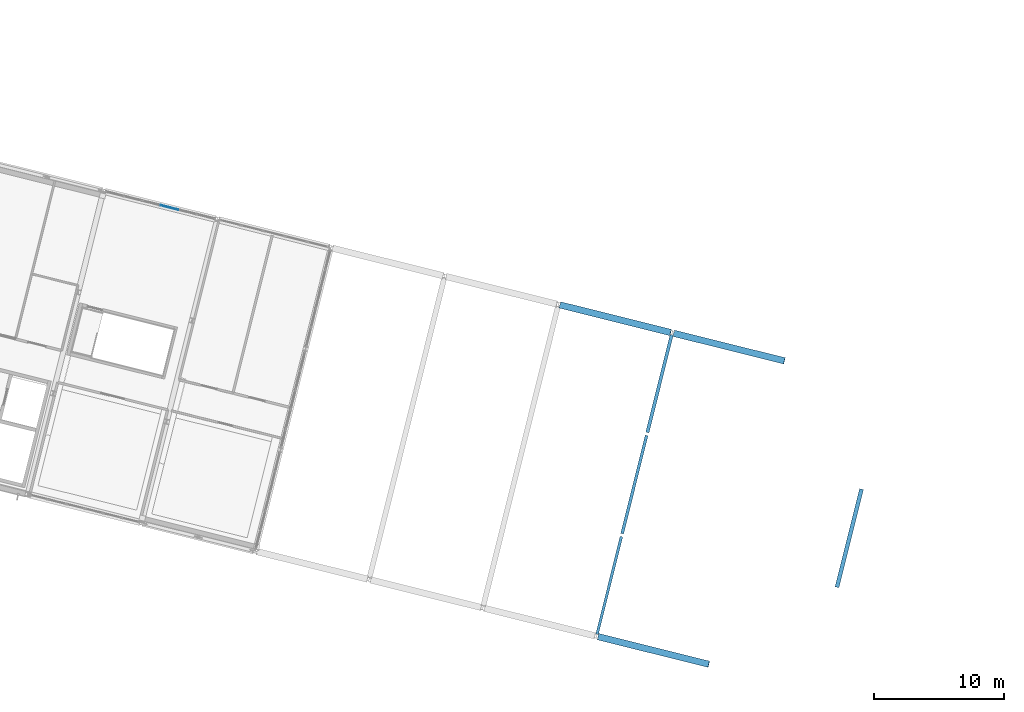
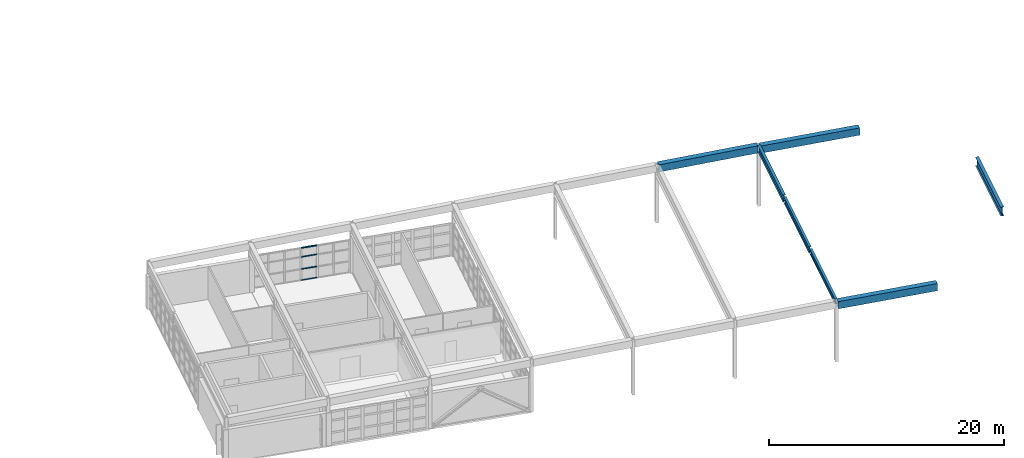
# One storey, part 16 of 27: 7 beams, 4 members, 1 element without a shape of its own.
"""IFC4 building model written with IfcOpenShell, lengths in metres."""

import ifcopenshell
import ifcopenshell.guid

model = None  # the IFC model being written
_history = None  # IfcOwnerHistory: only IFC2X3 demands one
_inside = {}  # id of a spatial element -> (the spatial element, [elements in it])
_under = {}  # id of a project, library or spatial element -> (it, [spatial elements below it])
_declared = {}  # id of a project -> (the project, [libraries it declares])
_typed = {}  # id of a type object -> (the type object, [elements of that type])
_made_of = {}  # id of a material, layer set ... -> (it, [elements and type objects made of it])


def new_model(schema):
    """Start an empty IFC model of exactly this schema.

    Asked for "IFC4X3", IfcOpenShell would pick the latest addendum, in which some entities
    have other attributes; the version numbers below select the first issue.
    IFC2X3 requires an IfcOwnerHistory on every rooted entity: one is made here for all.
    """
    global model, _history
    if schema == "IFC4X3":
        model = ifcopenshell.file(schema_version=(4, 3, 0, 0))
    else:
        model = ifcopenshell.file(schema=schema)
    _inside.clear()
    _under.clear()
    _declared.clear()
    _typed.clear()
    _made_of.clear()
    _history = None
    if model.schema == "IFC2X3":
        org = make("IfcOrganization", Name="unknown")
        user = make(
            "IfcPersonAndOrganization",
            ThePerson=make("IfcPerson", FamilyName="unknown"),
            TheOrganization=org,
        )
        app = make(
            "IfcApplication",
            ApplicationDeveloper=org,
            Version="unknown",
            ApplicationFullName="unknown",
            ApplicationIdentifier="unknown",
        )
        _history = make(
            "IfcOwnerHistory",
            OwningUser=user,
            OwningApplication=app,
            ChangeAction="ADDED",
            CreationDate=0,
        )
    return model


def make(cls, **values):
    """One entity of the class cls with the attributes given. An attribute that is None is left unset."""
    return model.create_entity(
        cls, **{name: value for name, value in values.items() if value is not None}
    )


def rooted(cls, **values):
    """An entity with a GlobalId (a new one), such as an element, a storey or a relation."""
    return make(cls, GlobalId=ifcopenshell.guid.new(), OwnerHistory=_history, **values)


def si_unit(unit_type, name, prefix=None):
    """IfcSIUnit, for example si_unit("LENGTHUNIT", "METRE", prefix="MILLI")."""
    return make("IfcSIUnit", UnitType=unit_type, Prefix=prefix, Name=name)


def assignment(units):
    """IfcUnitAssignment: the units of a project."""
    return None if units is None else make("IfcUnitAssignment", Units=units)


def point(xyz):
    """IfcCartesianPoint."""
    return None if xyz is None else make("IfcCartesianPoint", Coordinates=xyz)


def direction(xyz):
    """IfcDirection."""
    return None if xyz is None else make("IfcDirection", DirectionRatios=xyz)


def frame(location, z_axis=None, x_axis=None):
    """IfcAxis2Placement3D, a coordinate frame: its origin and axes. An axis left out is left unset."""
    return make(
        "IfcAxis2Placement3D",
        Location=point(location),
        Axis=direction(z_axis),
        RefDirection=direction(x_axis),
    )


def frame_2d(location, x_axis=None):
    """IfcAxis2Placement2D, a coordinate frame in the plane: its origin and x axis."""
    return make(
        "IfcAxis2Placement2D", Location=point(location), RefDirection=direction(x_axis)
    )


def origin():
    """The frame at (0, 0, 0) with its axes left unset."""
    return frame((0.0, 0.0, 0.0))


def origin_2d():
    """The frame at (0, 0) in the plane with its x axis left unset."""
    return frame_2d((0.0, 0.0))


def place(relative_to, where):
    """IfcLocalPlacement: puts the frame where relative to a parent placement (None: the world)."""
    return make(
        "IfcLocalPlacement", PlacementRelTo=relative_to, RelativePlacement=where
    )


def context(
    kind, dimensions, precision=None, world=None, true_north=None, identifier=None
):
    """IfcGeometricRepresentationContext, for example the 3D "Model" context."""
    return make(
        "IfcGeometricRepresentationContext",
        ContextIdentifier=identifier,
        ContextType=kind,
        CoordinateSpaceDimension=dimensions,
        Precision=precision,
        WorldCoordinateSystem=world,
        TrueNorth=true_north,
    )


def subcontext(parent, identifier, kind, view, scale=None):
    """IfcGeometricRepresentationSubContext, for example "Body" below "Model"."""
    return make(
        "IfcGeometricRepresentationSubContext",
        ContextIdentifier=identifier,
        ContextType=kind,
        ParentContext=parent,
        TargetScale=scale,
        TargetView=view,
    )


def project(units=None, contexts=None):
    """IfcProject with its units and contexts."""
    return rooted(
        "IfcProject",
        Name="project",
        RepresentationContexts=contexts,
        UnitsInContext=assignment(units),
    )


def spatial(cls, under=None, at=None, **own):
    """A site, building, storey or space (cls), placed at a placement, below another one or the project."""
    s = rooted(cls, ObjectPlacement=at, **own)
    if under is not None:
        _under.setdefault(under.id(), (under, []))[1].append(s)
    return s


def profile(cls, at=None, kind="AREA", **sizes):
    """A parametric profile (cls). Its sizes go by their IFC names, for example OverallWidth=200.0."""
    return make(cls, ProfileType=kind, Position=at, **sizes)


def rectangle(**sizes):
    """IfcRectangleProfileDef."""
    return profile("IfcRectangleProfileDef", **sizes)


def i_section(**sizes):
    """IfcIShapeProfileDef."""
    return profile("IfcIShapeProfileDef", **sizes)


def extrude(swept, where, along, depth):
    """IfcExtrudedAreaSolid: the profile swept, set in the frame where, extruded along a direction by depth."""
    return make(
        "IfcExtrudedAreaSolid",
        SweptArea=swept,
        Position=where,
        ExtrudedDirection=direction(along),
        Depth=depth,
    )


def shape(context_of_items, identifier, shape_type, items):
    """IfcShapeRepresentation: the items that make up one representation, for example the "Body"."""
    return make(
        "IfcShapeRepresentation",
        ContextOfItems=context_of_items,
        RepresentationIdentifier=identifier,
        RepresentationType=shape_type,
        Items=items,
    )


def material(Name=None, Category=None):
    """IfcMaterial."""
    return make("IfcMaterial", Name=Name, Category=Category)


def layer(
    of_material, thickness, ventilated=None, Name=None, Category=None, Priority=None
):
    """IfcMaterialLayer: one layer of a wall or slab, of a material (None: an air gap)."""
    return make(
        "IfcMaterialLayer",
        Material=of_material,
        LayerThickness=thickness,
        IsVentilated=ventilated,
        Name=Name,
        Category=Category,
        Priority=Priority,
    )


def layer_set(layers, Name=None):
    """IfcMaterialLayerSet."""
    return make("IfcMaterialLayerSet", MaterialLayers=layers, LayerSetName=Name)


def material_profile(
    of_material, cross_section, Name=None, Category=None, Priority=None
):
    """IfcMaterialProfile: a cross section and its material."""
    return make(
        "IfcMaterialProfile",
        Name=Name,
        Material=of_material,
        Profile=cross_section,
        Priority=Priority,
        Category=Category,
    )


def profile_set(profiles, Name=None, composite=None):
    """IfcMaterialProfileSet."""
    return make(
        "IfcMaterialProfileSet",
        Name=Name,
        MaterialProfiles=profiles,
        CompositeProfile=composite,
    )


def made_of(thing, what):
    """Note that an element or type object is made of a material, layer set ...; save() writes the relation."""
    if what is not None:
        _made_of.setdefault(what.id(), (what, []))[1].append(thing)
    return thing


def type_object(cls, material=None, **own):
    """A type object (cls), such as IfcWallType, which elements share."""
    return made_of(rooted(cls, **own), material)


def element(
    cls,
    number,
    at=None,
    inside=None,
    cuts=None,
    type_object=None,
    material=None,
    context=None,
    identifier="Body",
    shape_type=None,
    held_by="IfcProductDefinitionShape",
    body=None,
    shapes=None,
    **own,
):
    """One element of the class cls, such as IfcWall. Its Tag is "e" and its number.

    at: its placement. inside: the storey or other place that contains it. cuts: it is an
    opening in that element (IfcRelVoidsElement). A single representation is given by context,
    identifier, shape_type and body (its items); several are given by shapes. held_by: the class
    of the entity that holds the representations. save() writes the other relations.
    """
    e = rooted(cls, Tag="e%d" % number, ObjectPlacement=at, **own)
    if body is not None:
        shapes = [shape(context, identifier, shape_type, body)]
    if shapes is not None:
        e.Representation = make(held_by, Representations=shapes)
    if inside is not None:
        _inside.setdefault(inside.id(), (inside, []))[1].append(e)
    if cuts is not None:
        rooted(
            "IfcRelVoidsElement", RelatingBuildingElement=cuts, RelatedOpeningElement=e
        )
    if type_object is not None:
        _typed.setdefault(type_object.id(), (type_object, []))[1].append(e)
    return made_of(e, material)


def aggregate(whole, parts):
    """IfcRelAggregates: a whole, such as a stair, and the parts it consists of."""
    return rooted("IfcRelAggregates", RelatingObject=whole, RelatedObjects=parts)


def save(model, path):
    """Write the relations noted so far, then the file.

    IfcRelAggregates (storeys below a building ...), IfcRelContainedInSpatialStructure (elements
    in a storey), IfcRelDefinesByType, IfcRelAssociatesMaterial and IfcRelDeclares: one each for
    every whole, place, type object, material and project.
    """
    for whole, parts in _under.values():
        aggregate(whole, parts)
    for where, things in _inside.values():
        rooted(
            "IfcRelContainedInSpatialStructure",
            RelatedElements=things,
            RelatingStructure=where,
        )
    for kind, things in _typed.values():
        rooted("IfcRelDefinesByType", RelatedObjects=things, RelatingType=kind)
    for what, things in _made_of.values():
        rooted("IfcRelAssociatesMaterial", RelatedObjects=things, RelatingMaterial=what)
    for by, libraries in _declared.values():
        rooted("IfcRelDeclares", RelatingContext=by, RelatedDefinitions=libraries)
    model.write(path)


model = new_model("IFC4")

# Units and contexts
model_context = context("Model", 3, precision=1e-05, world=origin(), true_north=direction((0.0, 1.0)))
body_context = subcontext(model_context, "Body", "Model", "MODEL_VIEW")
ifc_project = project(units=[si_unit("LENGTHUNIT", "METRE"), si_unit("AREAUNIT", "SQUARE_METRE"), si_unit("VOLUMEUNIT", "CUBIC_METRE"), si_unit("PLANEANGLEUNIT", "RADIAN"), si_unit("MASSUNIT", "GRAM", prefix="KILO")], contexts=[model_context])

# Site, building, storey
site_placement = place(None, origin())
site = spatial("IfcSite", under=ifc_project, at=site_placement, CompositionType="ELEMENT")
building_placement = place(site_placement, origin())
building = spatial("IfcBuilding", under=site, at=building_placement, Name="Vireo Bluff Cable Station", CompositionType="ELEMENT")
storey_placement = place(building_placement, frame((0.0, 0.0, 19.199951171875)))
storey = spatial("IfcBuildingStorey", under=building, at=storey_placement, Name="L04", CompositionType="ELEMENT", Elevation=19.199951171875)

# Curtain wall, members
ifc_material_1 = material(Name="Anodized Aluminium 6063-T6", Category="aluminium")
ifc_layer = layer(ifc_material_1, 0.179931640625, Name="Anodized Aluminium 6063-T6")
ifc_layer_set = layer_set([ifc_layer], Name="Anodized Aluminium 6063-T6")
curtain_wall_type = type_object("IfcCurtainWallType", Name="CW-UNIT-1500", PredefinedType="USERDEFINED", material=ifc_layer_set)
curtain_wall_placement = place(storey_placement, origin())
curtain_wall = element("IfcCurtainWall", 1, at=curtain_wall_placement, inside=storey, type_object=curtain_wall_type, Name="V1 L04 north curtain wall CW-034", ObjectType="UNITISED CURTAIN WALL", PredefinedType="USERDEFINED")
ifc_material_profile_1 = material_profile(ifc_material_1, rectangle(XDim=0.06005859375, YDim=0.1201171875, at=origin_2d()), Name="ALU-T-60X120")
ifc_profile_set_1 = profile_set([ifc_material_profile_1], Name="Anodized Aluminium 6063-T6")
member_type = type_object("IfcMemberType", Name="CWT-03", PredefinedType="USERDEFINED", material=ifc_profile_set_1)
member_1_placement = place(storey_placement, frame((72.934326171875, 58.013916015625, 0.030029296875), z_axis=(0.970287136936, -0.241956342955, 0.0), x_axis=(0.241956342955, 0.970287136936, 0.0)))
member_1 = element("IfcMember", 2, at=member_1_placement, type_object=member_type, Name="CW-034 transom 4.1", ObjectType="TRANSOM", PredefinedType="USERDEFINED", context=body_context, shape_type="SweptSolid", body=[
    extrude(rectangle(XDim=0.06005859375, YDim=0.1201171875, at=origin_2d()), origin(), (0.0, 0.0, 1.0), 1.388427734375),
])
member_2_placement = place(storey_placement, frame((72.934326171875, 58.013916015625, 1.18994140625), z_axis=(0.970287136936, -0.241956342955, 0.0), x_axis=(0.241956342955, 0.970287136936, 0.0)))
member_2 = element("IfcMember", 3, at=member_2_placement, type_object=member_type, Name="CW-034 transom 4.2", ObjectType="TRANSOM", PredefinedType="USERDEFINED", context=body_context, shape_type="SweptSolid", body=[
    extrude(rectangle(XDim=0.06005859375, YDim=0.1201171875, at=origin_2d()), origin(), (0.0, 0.0, 1.0), 1.388427734375),
])
member_3_placement = place(storey_placement, frame((72.934326171875, 58.013916015625, 2.447998046875), z_axis=(0.970287136936, -0.241956342955, 0.0), x_axis=(0.241956342955, 0.970287136936, 0.0)))
member_3 = element("IfcMember", 4, at=member_3_placement, type_object=member_type, Name="CW-034 transom 4.3", ObjectType="TRANSOM", PredefinedType="USERDEFINED", context=body_context, shape_type="SweptSolid", body=[
    extrude(rectangle(XDim=0.06005859375, YDim=0.1201171875, at=origin_2d()), origin(), (0.0, 0.0, 1.0), 1.388427734375),
])
member_4_placement = place(storey_placement, frame((72.934326171875, 58.013916015625, 3.3701171875), z_axis=(0.970287136936, -0.241956342955, 0.0), x_axis=(0.241956342955, 0.970287136936, 0.0)))
member_4 = element("IfcMember", 5, at=member_4_placement, type_object=member_type, Name="CW-034 transom 4.4", ObjectType="TRANSOM", PredefinedType="USERDEFINED", context=body_context, shape_type="SweptSolid", body=[
    extrude(rectangle(XDim=0.06005859375, YDim=0.1201171875, at=origin_2d()), origin(), (0.0, 0.0, 1.0), 1.388427734375),
])
aggregate(curtain_wall, [member_1, member_2, member_3, member_4])

# Beams
ifc_material_2 = material(Name="Steel ASTM A992 Gr. 50", Category="steel")
ifc_material_profile_2 = material_profile(ifc_material_2, i_section(OverallWidth=0.306884765625, OverallDepth=0.927001953125, WebThickness=0.019287109375, FlangeThickness=0.031982421875, FilletRadius=0.02001953125, at=origin_2d()), Name="W36X194")
ifc_profile_set_2 = profile_set([ifc_material_profile_2], Name="Steel ASTM A992 Gr. 50")
beam_type_1 = type_object("IfcBeamType", Name="EXTGIR-W36X194", PredefinedType="USERDEFINED", material=ifc_profile_set_2)
beam_1_placement = place(storey_placement, frame((124.85546875, 28.702392578125, 6.75), z_axis=(0.241906346953, 0.970299602857, 0.0), x_axis=(-0.970299602857, 0.241906346953, 0.0)))
element("IfcBeam", 6, at=beam_1_placement, inside=storey, type_object=beam_type_1, Name="Aerial line launch pylon crosshead girder", ObjectType="GIRDER", PredefinedType="USERDEFINED", context=body_context, shape_type="SweptSolid", body=[
    extrude(i_section(OverallWidth=0.306884765625, OverallDepth=0.927001953125, WebThickness=0.019287109375, FlangeThickness=0.031982421875, FilletRadius=0.02001953125, at=origin_2d()), origin(), (0.0, 0.0, 1.0), 7.760009765625),
])
ifc_material_3 = material(Name="Concrete f'c 40 MPa", Category="concrete")
ifc_material_profile_3 = material_profile(ifc_material_3, rectangle(XDim=0.5, YDim=0.75, at=origin_2d()), Name="RC-EB-500X750")
ifc_profile_set_3 = profile_set([ifc_material_profile_3], Name="Concrete f'c 40 MPa")
beam_type_2 = type_object("IfcBeamType", Name="RCEB-03", PredefinedType="SPANDREL", material=ifc_profile_set_3)
beam_2_placement = place(storey_placement, frame((103.5859375, 50.37158203125, 5.693603515625), z_axis=(0.969782604745, -0.241784087583, 0.032590712266), x_axis=(0.241912595995, 0.970298044881, 0.0)))
element("IfcBeam", 7, at=beam_2_placement, inside=storey, type_object=beam_type_2, Name="V1 L04 spandrel 344", PredefinedType="SPANDREL", context=body_context, shape_type="SweptSolid", body=[
    extrude(rectangle(XDim=0.5, YDim=0.75, at=origin_2d()), origin(), (0.0, 0.0, 1.0), 8.7646484375),
])
for number, where, z_axis, x_axis, name in (
    (8, (106.512451171875, 24.9072265625, 5.904296875), (0.970049215792, -0.241878421436, 0.022346099988), (0.241938834838, 0.970291502693, 0.0), "Cableway portal edge beam 1"),
    (9, (112.318603515625, 48.1943359375, 5.904296875), (0.970049215792, -0.241878421436, 0.022346099988), (0.241938834838, 0.970291502693, 0.0), "Cableway portal edge beam 2"),
):
    element("IfcBeam", number, at=place(storey_placement, frame(where, z_axis=z_axis, x_axis=x_axis)), inside=storey, type_object=beam_type_2, Name=name, PredefinedType="SPANDREL", context=body_context, shape_type="SweptSolid", body=[
        extrude(rectangle(XDim=0.5, YDim=0.75, at=origin_2d()), origin(), (0.0, 0.0, 1.0), 8.76220703125),
    ])
ifc_material_profile_4 = material_profile(ifc_material_2, i_section(OverallWidth=0.2099609375, OverallDepth=0.535888671875, WebThickness=0.010986328125, FlangeThickness=0.017333984375, FilletRadius=0.012939453125, at=origin_2d()), Name="W21X68")
ifc_profile_set_4 = profile_set([ifc_material_profile_4], Name="Steel ASTM A992 Gr. 50")
beam_type_3 = type_object("IfcBeamType", Name="SPN-W21X68", PredefinedType="SPANDREL", material=ifc_profile_set_4)
beam_3_placement = place(storey_placement, frame((106.425048828125, 25.052734375, 6.08642578125), z_axis=(0.241913731831, 0.970297761696, 0.0), x_axis=(-0.970297761696, 0.241913731831, 0.0)))
element("IfcBeam", 10, at=beam_3_placement, inside=storey, type_object=beam_type_3, Name="V1 L04 spandrel 353", PredefinedType="SPANDREL", context=body_context, shape_type="SweptSolid", body=[
    extrude(i_section(OverallWidth=0.2099609375, OverallDepth=0.535888671875, WebThickness=0.010986328125, FlangeThickness=0.017333984375, FilletRadius=0.012939453125, at=origin_2d()), origin(), (0.0, 0.0, 1.0), 7.759765625),
])
ifc_material_profile_5 = material_profile(ifc_material_2, i_section(OverallWidth=0.22802734375, OverallDepth=0.60693359375, WebThickness=0.01123046875, FlangeThickness=0.017333984375, FilletRadius=0.012939453125, at=origin_2d()), Name="W24X76")
ifc_profile_set_5 = profile_set([ifc_material_profile_5], Name="Steel ASTM A992 Gr. 50")
beam_type_4 = type_object("IfcBeamType", Name="SPN-W24X76", PredefinedType="SPANDREL", material=ifc_profile_set_5)
beam_4_placement = place(storey_placement, frame((108.3603515625, 32.81494140625, 6.05078125), z_axis=(0.241935966891, 0.970292217801, 0.0), x_axis=(-0.970292217801, 0.241935966891, 0.0)))
element("IfcBeam", 11, at=beam_4_placement, inside=storey, type_object=beam_type_4, Name="V1 L04 spandrel 354", PredefinedType="SPANDREL", context=body_context, shape_type="SweptSolid", body=[
    extrude(i_section(OverallWidth=0.22802734375, OverallDepth=0.60693359375, WebThickness=0.01123046875, FlangeThickness=0.017333984375, FilletRadius=0.012939453125, at=origin_2d()), origin(), (0.0, 0.0, 1.0), 7.760009765625),
])
ifc_material_profile_6 = material_profile(ifc_material_2, i_section(OverallWidth=0.257080078125, OverallDepth=0.693115234375, WebThickness=0.014404296875, FlangeThickness=0.023681640625, FilletRadius=0.014892578125, at=origin_2d()), Name="W27X114")
ifc_profile_set_6 = profile_set([ifc_material_profile_6], Name="Steel ASTM A992 Gr. 50")
beam_type_5 = type_object("IfcBeamType", Name="SPN-W27X114", PredefinedType="SPANDREL", material=ifc_profile_set_6)
beam_5_placement = place(storey_placement, frame((110.295654296875, 40.577392578125, 6.0078125), z_axis=(0.241935966891, 0.970292217801, 0.0), x_axis=(-0.970292217801, 0.241935966891, 0.0)))
element("IfcBeam", 12, at=beam_5_placement, inside=storey, type_object=beam_type_5, Name="V1 L04 spandrel 355", PredefinedType="SPANDREL", context=body_context, shape_type="SweptSolid", body=[
    extrude(i_section(OverallWidth=0.257080078125, OverallDepth=0.693115234375, WebThickness=0.014404296875, FlangeThickness=0.023681640625, FilletRadius=0.014892578125, at=origin_2d()), origin(), (0.0, 0.0, 1.0), 7.760009765625),
])

save(model, "model.ifc")
